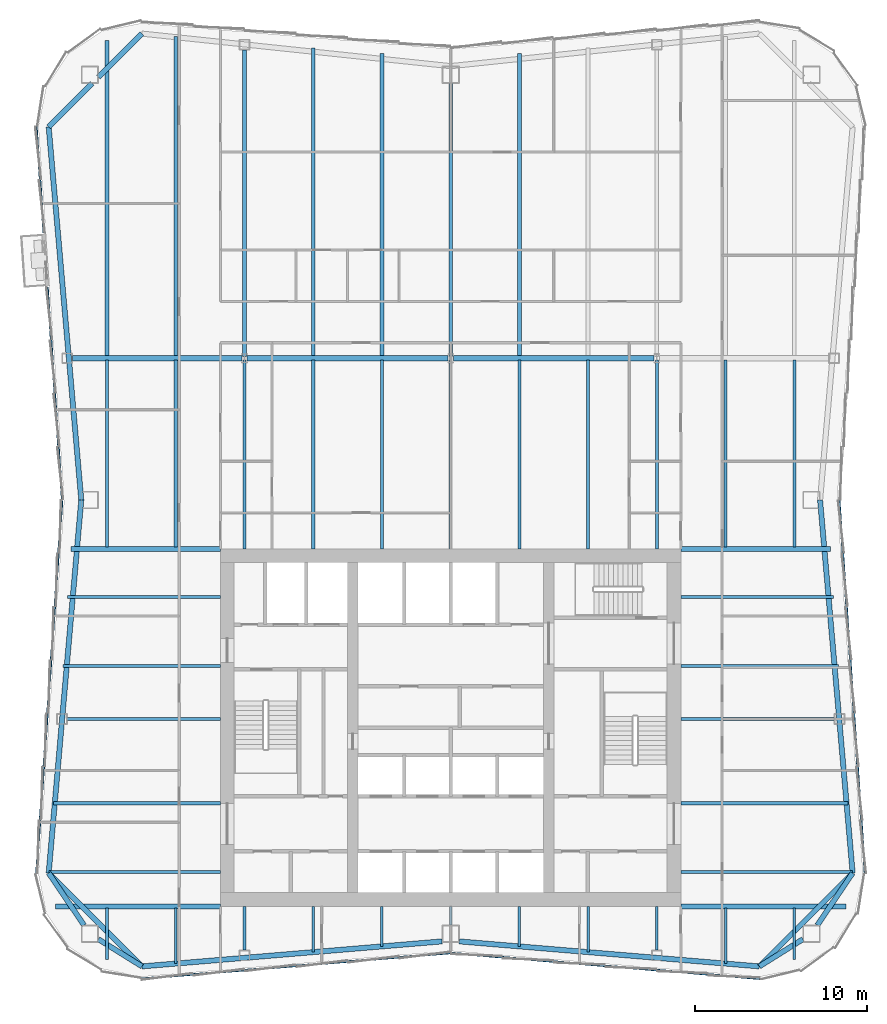
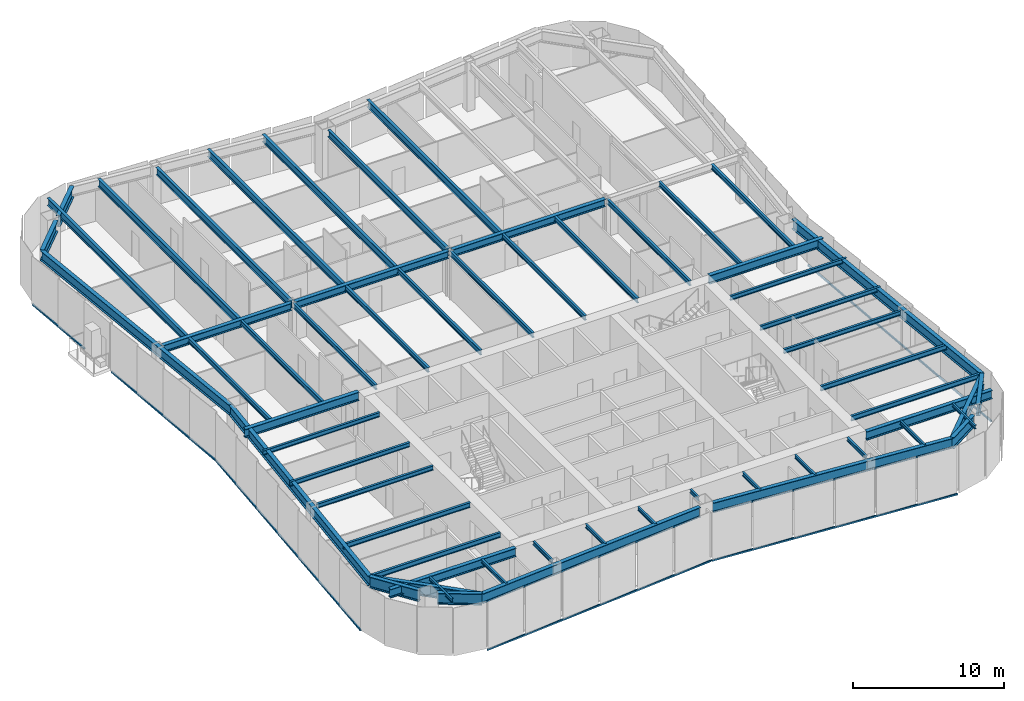
# One storey, part 3 of 12: 59 beams, 6 members, 3 elements without a shape of their own.
"""IFC4 building model written with IfcOpenShell, lengths in metres."""

from ifc_helpers import new_model, si_unit, direction, frame, origin, origin_2d, place, context, subcontext, project, spatial, rectangle, i_section, extrude, material, material_profile, profile_set, type_object, element, aggregate, save


model = new_model("IFC4")

# Units and contexts
model_context = context("Model", 3, precision=1e-05, world=origin(), true_north=direction((0.0, 1.0)))
body_context = subcontext(model_context, "Body", "Model", "MODEL_VIEW")
ifc_project = project(units=[si_unit("LENGTHUNIT", "METRE"), si_unit("AREAUNIT", "SQUARE_METRE"), si_unit("VOLUMEUNIT", "CUBIC_METRE"), si_unit("PLANEANGLEUNIT", "RADIAN"), si_unit("MASSUNIT", "GRAM", prefix="KILO")], contexts=[model_context])

# Site, building, storey
site_placement = place(None, origin())
site = spatial("IfcSite", under=ifc_project, at=site_placement, CompositionType="ELEMENT")
building_placement = place(site_placement, origin())
building = spatial("IfcBuilding", under=site, at=building_placement, Name="Verdant Reach Tower", CompositionType="ELEMENT")
storey_placement = place(building_placement, frame((0.0, 0.0, 246.0)))
storey = spatial("IfcBuildingStorey", under=building, at=storey_placement, Name="L56", CompositionType="ELEMENT", Elevation=246.0)

# Curtain wall, member
ifc_material_1 = material(Name="Anodised aluminium", Category="aluminium")
curtain_wall_type = type_object("IfcCurtainWallType", Name="EN-CW SYSTEM Z4", PredefinedType="NOTDEFINED", material=ifc_material_1)
curtain_wall_1_placement = place(storey_placement, origin())
curtain_wall_1 = element("IfcCurtainWall", 1, at=curtain_wall_1_placement, inside=storey, type_object=curtain_wall_type, Name="Curtain wall east, L56", PredefinedType="NOTDEFINED")
ifc_material_profile_1 = material_profile(ifc_material_1, rectangle(XDim=0.10009765625, YDim=0.1279296875, at=origin_2d()), Name="Transom 128x100")
ifc_profile_set_1 = profile_set([ifc_material_profile_1], Name="Anodised aluminium")
member_type = type_object("IfcMemberType", Name="EN-TRANSOM Z4", PredefinedType="USERDEFINED", material=ifc_profile_set_1)
member_1_placement = place(storey_placement, frame((24.109375, 19.52685546875, -0.285888671875), z_axis=(-0.068770489035, 0.997632507408, 0.0), x_axis=(-0.997632507408, -0.068770489035, 0.0)))
member_1 = element("IfcMember", 2, at=member_1_placement, type_object=member_type, Name="Transom east face part 1 1.1, L56", ObjectType="TRANSOM", PredefinedType="USERDEFINED", context=body_context, shape_type="SweptSolid", body=[
    extrude(rectangle(XDim=0.10009765625, YDim=0.1279296875, at=origin_2d()), origin(), (0.0, 0.0, 1.0), 21.74072265625),
])
aggregate(curtain_wall_1, [member_1])

# Curtain wall, members
curtain_wall_2_placement = place(storey_placement, origin())
curtain_wall_2 = element("IfcCurtainWall", 3, at=curtain_wall_2_placement, inside=storey, type_object=curtain_wall_type, Name="Curtain wall west, L56", PredefinedType="NOTDEFINED")
member_2_placement = place(storey_placement, frame((-24.109375, 62.97314453125, -0.285888671875), z_axis=(0.068628428256, -0.997642290019, 0.0), x_axis=(0.997642290019, 0.068628428256, 0.0)))
member_2 = element("IfcMember", 4, at=member_2_placement, type_object=member_type, Name="Transom west face part 1 1.1, L56", ObjectType="TRANSOM", PredefinedType="USERDEFINED", context=body_context, shape_type="SweptSolid", body=[
    extrude(rectangle(XDim=0.10009765625, YDim=0.1279296875, at=origin_2d()), origin(), (0.0, 0.0, 1.0), 6.17578125),
])
member_3_placement = place(storey_placement, frame((-23.466552734375, 53.636962890625, -0.285888671875), z_axis=(0.068831188382, -0.997628321323, 0.0), x_axis=(0.997628321323, 0.068831188382, 0.0)))
member_3 = element("IfcMember", 5, at=member_3_placement, type_object=member_type, Name="Transom west face part 1 2.1, L56", ObjectType="TRANSOM", PredefinedType="USERDEFINED", context=body_context, shape_type="SweptSolid", body=[
    extrude(rectangle(XDim=0.10009765625, YDim=0.1279296875, at=origin_2d()), origin(), (0.0, 0.0, 1.0), 12.38232421875),
])
member_4_placement = place(storey_placement, frame((-22.6142578125, 41.216064453125, -0.285888671875), z_axis=(-0.068770489035, -0.997632507408, 0.0), x_axis=(0.997632507408, -0.068770489035, 0.0)))
member_4 = element("IfcMember", 6, at=member_4_placement, type_object=member_type, Name="Transom west face part 2 1.1, L56", ObjectType="TRANSOM", PredefinedType="USERDEFINED", context=body_context, shape_type="SweptSolid", body=[
    extrude(rectangle(XDim=0.10009765625, YDim=0.1279296875, at=origin_2d()), origin(), (0.0, 0.0, 1.0), 21.74072265625),
])
aggregate(curtain_wall_2, [member_2, member_3, member_4])

curtain_wall_3_placement = place(storey_placement, origin())
curtain_wall_3 = element("IfcCurtainWall", 7, at=curtain_wall_3_placement, inside=storey, type_object=curtain_wall_type, Name="Curtain wall south, L56", PredefinedType="NOTDEFINED")
member_5_placement = place(storey_placement, frame((-17.972412109375, 13.39111328125, -0.285888671875), z_axis=(0.996549124771, 0.083005071637, 0.0), x_axis=(-0.083005071637, 0.996549124771, 0.0)))
member_5 = element("IfcMember", 8, at=member_5_placement, type_object=member_type, Name="Transom south face part 1 1.1, L56", ObjectType="TRANSOM", PredefinedType="USERDEFINED", context=body_context, shape_type="SweptSolid", body=[
    extrude(rectangle(XDim=0.10009765625, YDim=0.1279296875, at=origin_2d()), origin(), (0.0, 0.0, 1.0), 18.00048828125),
])
member_6_placement = place(storey_placement, frame((0.033935546875, 14.88525390625, -0.285888671875), z_axis=(0.996549124771, -0.083005071637, 0.0), x_axis=(0.083005071637, 0.996549124771, 0.0)))
member_6 = element("IfcMember", 9, at=member_6_placement, type_object=member_type, Name="Transom south face part 2 1.1, L56", ObjectType="TRANSOM", PredefinedType="USERDEFINED", context=body_context, shape_type="SweptSolid", body=[
    extrude(rectangle(XDim=0.10009765625, YDim=0.1279296875, at=origin_2d()), origin(), (0.0, 0.0, 1.0), 18.00048828125),
])
aggregate(curtain_wall_3, [member_5, member_6])

# Beams
ifc_material_2 = material(Name="Steel S355", Category="steel")
ifc_material_profile_2 = material_profile(ifc_material_2, i_section(OverallWidth=0.300048828125, OverallDepth=0.60009765625, WebThickness=0.015380859375, FlangeThickness=0.030029296875, FilletRadius=0.027099609375, at=origin_2d()), Name="HEB 600")
ifc_profile_set_2 = profile_set([ifc_material_profile_2], Name="Steel S355")
beam_type_1 = type_object("IfcBeamType", Name="ST-BEAM-HEB600", PredefinedType="BEAM", material=ifc_profile_set_2)
beam_1_placement = place(storey_placement, frame((-22.01904296875, 49.5, 3.570068359375), z_axis=(1.0, 0.0, 0.0), x_axis=(0.0, 1.0, 0.0)))
element("IfcBeam", 10, at=beam_1_placement, inside=storey, type_object=beam_type_1, Name="Row girder, L56", PredefinedType="BEAM", context=body_context, shape_type="SweptSolid", body=[
    extrude(i_section(OverallWidth=0.300048828125, OverallDepth=0.60009765625, WebThickness=0.015380859375, FlangeThickness=0.030029296875, FilletRadius=0.027099609375, at=origin_2d()), origin(), (0.0, 0.0, 1.0), 9.865966796875),
])
for number, where, z_axis, x_axis, name in (
    (11, (-11.846923828125, 49.5, 3.570068359375), (1.0, 0.0, 0.0), (0.0, 1.0, 0.0), "Row girder, L56"),
    (12, (0.153076171875, 49.5, 3.570068359375), (1.0, 0.0, 0.0), (0.0, 1.0, 0.0), "Row girder, L56"),
):
    element("IfcBeam", number, at=place(storey_placement, frame(where, z_axis=z_axis, x_axis=x_axis)), inside=storey, type_object=beam_type_1, Name=name, PredefinedType="BEAM", context=body_context, shape_type="SweptSolid", body=[
        extrude(i_section(OverallWidth=0.300048828125, OverallDepth=0.60009765625, WebThickness=0.015380859375, FlangeThickness=0.030029296875, FilletRadius=0.027099609375, at=origin_2d()), origin(), (0.0, 0.0, 1.0), 11.69384765625),
    ])
ifc_material_profile_3 = material_profile(ifc_material_2, i_section(OverallWidth=0.300048828125, OverallDepth=0.699951171875, WebThickness=0.01708984375, FlangeThickness=0.031982421875, FilletRadius=0.027099609375, at=origin_2d()), Name="HEB 700")
ifc_profile_set_3 = profile_set([ifc_material_profile_3], Name="Steel S355")
beam_type_2 = type_object("IfcBeamType", Name="ST-BEAM-HEB700", PredefinedType="BEAM", material=ifc_profile_set_3)
for number, where, z_axis, x_axis, name in (
    (13, (13.39990234375, 38.39990234375, 3.52001953125), (1.0, 0.0, 0.0), (0.0, 1.0, 0.0), "Trimmer beam, L56"),
    (14, (-13.39990234375, 38.39990234375, 3.52001953125), (-1.0, 0.0, 0.0), (0.0, -1.0, 0.0), "Trimmer beam, L56"),
):
    element("IfcBeam", number, at=place(storey_placement, frame(where, z_axis=z_axis, x_axis=x_axis)), inside=storey, type_object=beam_type_2, Name=name, PredefinedType="BEAM", context=body_context, shape_type="SweptSolid", body=[
        extrude(i_section(OverallWidth=0.300048828125, OverallDepth=0.699951171875, WebThickness=0.01708984375, FlangeThickness=0.031982421875, FilletRadius=0.027099609375, at=origin_2d()), origin(), (0.0, 0.0, 1.0), 8.6953125),
    ])
for number, where, z_axis, x_axis, name in (
    (15, (13.39990234375, 17.60009765625, 3.52001953125), (1.0, 0.0, 0.0), (0.0, 1.0, 0.0), "Trimmer beam, L56"),
    (16, (-13.39990234375, 17.60009765625, 3.52001953125), (-1.0, 0.0, 0.0), (0.0, -1.0, 0.0), "Trimmer beam, L56"),
):
    element("IfcBeam", number, at=place(storey_placement, frame(where, z_axis=z_axis, x_axis=x_axis)), inside=storey, type_object=beam_type_2, Name=name, PredefinedType="BEAM", context=body_context, shape_type="SweptSolid", body=[
        extrude(i_section(OverallWidth=0.300048828125, OverallDepth=0.699951171875, WebThickness=0.01708984375, FlangeThickness=0.031982421875, FilletRadius=0.027099609375, at=origin_2d()), origin(), (0.0, 0.0, 1.0), 9.6103515625),
    ])
ifc_material_profile_4 = material_profile(ifc_material_2, i_section(OverallWidth=0.302001953125, OverallDepth=0.909912109375, WebThickness=0.02099609375, FlangeThickness=0.0400390625, FilletRadius=0.030029296875, at=origin_2d()), Name="HEM 900")
ifc_profile_set_4 = profile_set([ifc_material_profile_4], Name="Steel S355")
beam_type_3 = type_object("IfcBeamType", Name="ST-BEAM-HEM900", PredefinedType="BEAM", material=ifc_profile_set_4)
beam_2_placement = place(storey_placement, frame((20.5, 15.687744140625, 3.4150390625), z_axis=(-0.848163521635, -0.529734500073, 0.0), x_axis=(0.529734500073, -0.848163521635, 0.0)))
element("IfcBeam", 17, at=beam_2_placement, inside=storey, type_object=beam_type_3, Name="Column stub beam, L56", PredefinedType="BEAM", context=body_context, shape_type="SweptSolid", body=[
    extrude(i_section(OverallWidth=0.302001953125, OverallDepth=0.909912109375, WebThickness=0.02099609375, FlangeThickness=0.0400390625, FilletRadius=0.030029296875, at=origin_2d()), origin(), (0.0, 0.0, 1.0), 2.98779296875),
])
beam_3_placement = place(storey_placement, frame((21.33837890625, 16.5, 3.4150390625), z_axis=(0.560703975309, 0.828016335631, 0.0), x_axis=(-0.828016335631, 0.560703975309, 0.0)))
element("IfcBeam", 18, at=beam_3_placement, inside=storey, type_object=beam_type_3, Name="Column stub beam, L56", PredefinedType="BEAM", context=body_context, shape_type="SweptSolid", body=[
    extrude(i_section(OverallWidth=0.302001953125, OverallDepth=0.909912109375, WebThickness=0.02099609375, FlangeThickness=0.0400390625, FilletRadius=0.030029296875, at=origin_2d()), origin(), (0.0, 0.0, 1.0), 3.669677734375),
])
beam_4_placement = place(storey_placement, frame((-20.5, 15.687744140625, 3.4150390625), z_axis=(0.848163521635, -0.529734500073, 0.0), x_axis=(0.529734500073, 0.848163521635, 0.0)))
element("IfcBeam", 19, at=beam_4_placement, inside=storey, type_object=beam_type_3, Name="Column stub beam, L56", PredefinedType="BEAM", context=body_context, shape_type="SweptSolid", body=[
    extrude(i_section(OverallWidth=0.302001953125, OverallDepth=0.909912109375, WebThickness=0.02099609375, FlangeThickness=0.0400390625, FilletRadius=0.030029296875, at=origin_2d()), origin(), (0.0, 0.0, 1.0), 2.98779296875),
])
beam_5_placement = place(storey_placement, frame((-21.33837890625, 16.5, 3.4150390625), z_axis=(-0.560703975309, 0.828016335631, 0.0), x_axis=(-0.828016335631, -0.560703975309, 0.0)))
element("IfcBeam", 20, at=beam_5_placement, inside=storey, type_object=beam_type_3, Name="Column stub beam, L56", PredefinedType="BEAM", context=body_context, shape_type="SweptSolid", body=[
    extrude(i_section(OverallWidth=0.302001953125, OverallDepth=0.909912109375, WebThickness=0.02099609375, FlangeThickness=0.0400390625, FilletRadius=0.030029296875, at=origin_2d()), origin(), (0.0, 0.0, 1.0), 3.669677734375),
])
ifc_material_profile_5 = material_profile(ifc_material_2, i_section(OverallWidth=0.14990234375, OverallDepth=0.300048828125, WebThickness=0.007080078125, FlangeThickness=0.0107421875, FilletRadius=0.014892578125, at=origin_2d()), Name="IPE 300")
ifc_profile_set_5 = profile_set([ifc_material_profile_5], Name="Steel S355")
beam_type_4 = type_object("IfcBeamType", Name="ST-JOIST-IPE300", PredefinedType="JOIST", material=ifc_profile_set_5)
beam_6_placement = place(storey_placement, frame((-20.0, 17.5, 3.719970703125), z_axis=(0.0, -1.0, 0.0), x_axis=(1.0, 0.0, 0.0)))
element("IfcBeam", 21, at=beam_6_placement, inside=storey, type_object=beam_type_4, Name="Floor joist, L56", PredefinedType="JOIST", context=body_context, shape_type="SweptSolid", body=[
    extrude(i_section(OverallWidth=0.14990234375, OverallDepth=0.300048828125, WebThickness=0.007080078125, FlangeThickness=0.0107421875, FilletRadius=0.014892578125, at=origin_2d()), origin(), (0.0, 0.0, 1.0), 2.990478515625),
])
beam_7_placement = place(storey_placement, frame((-16.0, 17.5, 3.719970703125), z_axis=(0.0, -1.0, 0.0), x_axis=(1.0, 0.0, 0.0)))
element("IfcBeam", 22, at=beam_7_placement, inside=storey, type_object=beam_type_4, Name="Floor joist, L56", PredefinedType="JOIST", context=body_context, shape_type="SweptSolid", body=[
    extrude(i_section(OverallWidth=0.14990234375, OverallDepth=0.300048828125, WebThickness=0.007080078125, FlangeThickness=0.0107421875, FilletRadius=0.014892578125, at=origin_2d()), origin(), (0.0, 0.0, 1.0), 3.231201171875),
])
beam_8_placement = place(storey_placement, frame((-12.0, 17.60009765625, 3.719970703125), z_axis=(0.0, -1.0, 0.0), x_axis=(1.0, 0.0, 0.0)))
element("IfcBeam", 23, at=beam_8_placement, inside=storey, type_object=beam_type_4, Name="Floor joist, L56", PredefinedType="JOIST", context=body_context, shape_type="SweptSolid", body=[
    extrude(i_section(OverallWidth=0.14990234375, OverallDepth=0.300048828125, WebThickness=0.007080078125, FlangeThickness=0.0107421875, FilletRadius=0.014892578125, at=origin_2d()), origin(), (0.0, 0.0, 1.0), 2.550048828125),
])
beam_9_placement = place(storey_placement, frame((-8.0, 17.60009765625, 3.719970703125), z_axis=(0.0, -1.0, 0.0), x_axis=(1.0, 0.0, 0.0)))
element("IfcBeam", 24, at=beam_9_placement, inside=storey, type_object=beam_type_4, Name="Floor joist, L56", PredefinedType="JOIST", context=body_context, shape_type="SweptSolid", body=[
    extrude(i_section(OverallWidth=0.14990234375, OverallDepth=0.300048828125, WebThickness=0.007080078125, FlangeThickness=0.0107421875, FilletRadius=0.014892578125, at=origin_2d()), origin(), (0.0, 0.0, 1.0), 2.664794921875),
])
beam_10_placement = place(storey_placement, frame((-4.0, 17.60009765625, 3.719970703125), z_axis=(0.0, -1.0, 0.0), x_axis=(1.0, 0.0, 0.0)))
element("IfcBeam", 25, at=beam_10_placement, inside=storey, type_object=beam_type_4, Name="Floor joist, L56", PredefinedType="JOIST", context=body_context, shape_type="SweptSolid", body=[
    extrude(i_section(OverallWidth=0.14990234375, OverallDepth=0.300048828125, WebThickness=0.007080078125, FlangeThickness=0.0107421875, FilletRadius=0.014892578125, at=origin_2d()), origin(), (0.0, 0.0, 1.0), 2.331298828125),
])
beam_11_placement = place(storey_placement, frame((0.0, 17.60009765625, 3.719970703125), z_axis=(0.0, -1.0, 0.0), x_axis=(1.0, 0.0, 0.0)))
element("IfcBeam", 26, at=beam_11_placement, inside=storey, type_object=beam_type_4, Name="Floor joist, L56", PredefinedType="JOIST", context=body_context, shape_type="SweptSolid", body=[
    extrude(i_section(OverallWidth=0.14990234375, OverallDepth=0.300048828125, WebThickness=0.007080078125, FlangeThickness=0.0107421875, FilletRadius=0.014892578125, at=origin_2d()), origin(), (0.0, 0.0, 1.0), 1.10009765625),
])
beam_12_placement = place(storey_placement, frame((4.0, 17.60009765625, 3.719970703125), z_axis=(0.0, -1.0, 0.0), x_axis=(1.0, 0.0, 0.0)))
element("IfcBeam", 27, at=beam_12_placement, inside=storey, type_object=beam_type_4, Name="Floor joist, L56", PredefinedType="JOIST", context=body_context, shape_type="SweptSolid", body=[
    extrude(i_section(OverallWidth=0.14990234375, OverallDepth=0.300048828125, WebThickness=0.007080078125, FlangeThickness=0.0107421875, FilletRadius=0.014892578125, at=origin_2d()), origin(), (0.0, 0.0, 1.0), 2.331298828125),
])
beam_13_placement = place(storey_placement, frame((8.0, 17.60009765625, 3.719970703125), z_axis=(0.0, -1.0, 0.0), x_axis=(1.0, 0.0, 0.0)))
element("IfcBeam", 28, at=beam_13_placement, inside=storey, type_object=beam_type_4, Name="Floor joist, L56", PredefinedType="JOIST", context=body_context, shape_type="SweptSolid", body=[
    extrude(i_section(OverallWidth=0.14990234375, OverallDepth=0.300048828125, WebThickness=0.007080078125, FlangeThickness=0.0107421875, FilletRadius=0.014892578125, at=origin_2d()), origin(), (0.0, 0.0, 1.0), 2.664794921875),
])
beam_14_placement = place(storey_placement, frame((12.0, 17.60009765625, 3.719970703125), z_axis=(0.0, -1.0, 0.0), x_axis=(1.0, 0.0, 0.0)))
element("IfcBeam", 29, at=beam_14_placement, inside=storey, type_object=beam_type_4, Name="Floor joist, L56", PredefinedType="JOIST", context=body_context, shape_type="SweptSolid", body=[
    extrude(i_section(OverallWidth=0.14990234375, OverallDepth=0.300048828125, WebThickness=0.007080078125, FlangeThickness=0.0107421875, FilletRadius=0.014892578125, at=origin_2d()), origin(), (0.0, 0.0, 1.0), 2.550048828125),
])
beam_15_placement = place(storey_placement, frame((16.0, 17.5, 3.719970703125), z_axis=(0.0, -1.0, 0.0), x_axis=(1.0, 0.0, 0.0)))
element("IfcBeam", 30, at=beam_15_placement, inside=storey, type_object=beam_type_4, Name="Floor joist, L56", PredefinedType="JOIST", context=body_context, shape_type="SweptSolid", body=[
    extrude(i_section(OverallWidth=0.14990234375, OverallDepth=0.300048828125, WebThickness=0.007080078125, FlangeThickness=0.0107421875, FilletRadius=0.014892578125, at=origin_2d()), origin(), (0.0, 0.0, 1.0), 3.231201171875),
])
beam_16_placement = place(storey_placement, frame((20.0, 17.5, 3.719970703125), z_axis=(0.0, -1.0, 0.0), x_axis=(1.0, 0.0, 0.0)))
element("IfcBeam", 31, at=beam_16_placement, inside=storey, type_object=beam_type_4, Name="Floor joist, L56", PredefinedType="JOIST", context=body_context, shape_type="SweptSolid", body=[
    extrude(i_section(OverallWidth=0.14990234375, OverallDepth=0.300048828125, WebThickness=0.007080078125, FlangeThickness=0.0107421875, FilletRadius=0.014892578125, at=origin_2d()), origin(), (0.0, 0.0, 1.0), 2.990478515625),
])
ifc_material_profile_6 = material_profile(ifc_material_2, i_section(OverallWidth=0.169921875, OverallDepth=0.360107421875, WebThickness=0.008056640625, FlangeThickness=0.0126953125, FilletRadius=0.01806640625, at=origin_2d()), Name="IPE 360")
ifc_profile_set_6 = profile_set([ifc_material_profile_6], Name="Steel S355")
beam_type_5 = type_object("IfcBeamType", Name="ST-JOIST-IPE360", PredefinedType="JOIST", material=ifc_profile_set_6)
for number, where, z_axis, x_axis, name in (
    (32, (13.39990234375, 28.5, 3.68994140625), (1.0, 0.0, 0.0), (0.0, 1.0, 0.0), "Floor joist, L56"),
    (33, (-13.39990234375, 28.5, 3.68994140625), (-1.0, 0.0, 0.0), (0.0, -1.0, 0.0), "Floor joist, L56"),
):
    element("IfcBeam", number, at=place(storey_placement, frame(where, z_axis=z_axis, x_axis=x_axis)), inside=storey, type_object=beam_type_5, Name=name, PredefinedType="JOIST", context=body_context, shape_type="SweptSolid", body=[
        extrude(i_section(OverallWidth=0.169921875, OverallDepth=0.360107421875, WebThickness=0.008056640625, FlangeThickness=0.0126953125, FilletRadius=0.01806640625, at=origin_2d()), origin(), (0.0, 0.0, 1.0), 8.929443359375),
    ])
for number, where, z_axis, x_axis, name in (
    (34, (13.39990234375, 31.60009765625, 3.68994140625), (1.0, 0.0, 0.0), (0.0, 1.0, 0.0), "Floor joist, L56"),
    (35, (-13.39990234375, 31.60009765625, 3.68994140625), (-1.0, 0.0, 0.0), (0.0, -1.0, 0.0), "Floor joist, L56"),
):
    element("IfcBeam", number, at=place(storey_placement, frame(where, z_axis=z_axis, x_axis=x_axis)), inside=storey, type_object=beam_type_5, Name=name, PredefinedType="JOIST", context=body_context, shape_type="SweptSolid", body=[
        extrude(i_section(OverallWidth=0.169921875, OverallDepth=0.360107421875, WebThickness=0.008056640625, FlangeThickness=0.0126953125, FilletRadius=0.01806640625, at=origin_2d()), origin(), (0.0, 0.0, 1.0), 9.164306640625),
    ])
for number, where, z_axis, x_axis, name in (
    (36, (13.39990234375, 35.60009765625, 3.68994140625), (1.0, 0.0, 0.0), (0.0, 1.0, 0.0), "Floor joist, L56"),
    (37, (-13.39990234375, 35.60009765625, 3.68994140625), (-1.0, 0.0, 0.0), (0.0, -1.0, 0.0), "Floor joist, L56"),
):
    element("IfcBeam", number, at=place(storey_placement, frame(where, z_axis=z_axis, x_axis=x_axis)), inside=storey, type_object=beam_type_5, Name=name, PredefinedType="JOIST", context=body_context, shape_type="SweptSolid", body=[
        extrude(i_section(OverallWidth=0.169921875, OverallDepth=0.360107421875, WebThickness=0.008056640625, FlangeThickness=0.0126953125, FilletRadius=0.01806640625, at=origin_2d()), origin(), (0.0, 0.0, 1.0), 8.88818359375),
    ])
ifc_material_profile_7 = material_profile(ifc_material_2, i_section(OverallWidth=0.179931640625, OverallDepth=0.39990234375, WebThickness=0.008544921875, FlangeThickness=0.013427734375, FilletRadius=0.02099609375, at=origin_2d()), Name="IPE 400")
ifc_profile_set_7 = profile_set([ifc_material_profile_7], Name="Steel S355")
beam_type_6 = type_object("IfcBeamType", Name="ST-JOIST-IPE400", PredefinedType="JOIST", material=ifc_profile_set_7)
for number, where, z_axis, x_axis, name in (
    (38, (-20.0, 38.5, 3.669921875), (0.0, 1.0, 0.0), (-1.0, 0.0, 0.0), "Floor joist, L56"),
    (39, (-16.0, 38.5, 3.669921875), (0.0, 1.0, 0.0), (-1.0, 0.0, 0.0), "Floor joist, L56"),
):
    element("IfcBeam", number, at=place(storey_placement, frame(where, z_axis=z_axis, x_axis=x_axis)), inside=storey, type_object=beam_type_6, Name=name, PredefinedType="JOIST", context=body_context, shape_type="SweptSolid", body=[
        extrude(i_section(OverallWidth=0.179931640625, OverallDepth=0.39990234375, WebThickness=0.008544921875, FlangeThickness=0.013427734375, FilletRadius=0.02099609375, at=origin_2d()), origin(), (0.0, 0.0, 1.0), 10.89990234375),
    ])
for number, where, z_axis, x_axis, name in (
    (40, (-12.0, 38.39990234375, 3.669921875), (0.0, 1.0, 0.0), (-1.0, 0.0, 0.0), "Floor joist, L56"),
    (41, (-8.0, 38.39990234375, 3.669921875), (0.0, 1.0, 0.0), (-1.0, 0.0, 0.0), "Floor joist, L56"),
    (42, (-4.0, 38.39990234375, 3.669921875), (0.0, 1.0, 0.0), (-1.0, 0.0, 0.0), "Floor joist, L56"),
    (43, (0.0, 38.39990234375, 3.669921875), (0.0, 1.0, 0.0), (-1.0, 0.0, 0.0), "Floor joist, L56"),
    (44, (4.0, 38.39990234375, 3.669921875), (0.0, 1.0, 0.0), (-1.0, 0.0, 0.0), "Floor joist, L56"),
    (45, (8.0, 38.39990234375, 3.669921875), (0.0, 1.0, 0.0), (-1.0, 0.0, 0.0), "Floor joist, L56"),
    (46, (12.0, 38.39990234375, 3.669921875), (0.0, 1.0, 0.0), (-1.0, 0.0, 0.0), "Floor joist, L56"),
):
    element("IfcBeam", number, at=place(storey_placement, frame(where, z_axis=z_axis, x_axis=x_axis)), inside=storey, type_object=beam_type_6, Name=name, PredefinedType="JOIST", context=body_context, shape_type="SweptSolid", body=[
        extrude(i_section(OverallWidth=0.179931640625, OverallDepth=0.39990234375, WebThickness=0.008544921875, FlangeThickness=0.013427734375, FilletRadius=0.02099609375, at=origin_2d()), origin(), (0.0, 0.0, 1.0), 11.0),
    ])
for number, where, z_axis, x_axis, name in (
    (47, (16.0, 38.5, 3.669921875), (0.0, 1.0, 0.0), (-1.0, 0.0, 0.0), "Floor joist, L56"),
    (48, (20.0, 38.5, 3.669921875), (0.0, 1.0, 0.0), (-1.0, 0.0, 0.0), "Floor joist, L56"),
):
    element("IfcBeam", number, at=place(storey_placement, frame(where, z_axis=z_axis, x_axis=x_axis)), inside=storey, type_object=beam_type_6, Name=name, PredefinedType="JOIST", context=body_context, shape_type="SweptSolid", body=[
        extrude(i_section(OverallWidth=0.179931640625, OverallDepth=0.39990234375, WebThickness=0.008544921875, FlangeThickness=0.013427734375, FilletRadius=0.02099609375, at=origin_2d()), origin(), (0.0, 0.0, 1.0), 10.89990234375),
    ])
for number, where, z_axis, x_axis, name in (
    (49, (13.39990234375, 19.60009765625, 3.669921875), (1.0, 0.0, 0.0), (0.0, 1.0, 0.0), "Floor joist, L56"),
    (50, (-13.39990234375, 19.60009765625, 3.669921875), (-1.0, 0.0, 0.0), (0.0, -1.0, 0.0), "Floor joist, L56"),
):
    element("IfcBeam", number, at=place(storey_placement, frame(where, z_axis=z_axis, x_axis=x_axis)), inside=storey, type_object=beam_type_6, Name=name, PredefinedType="JOIST", context=body_context, shape_type="SweptSolid", body=[
        extrude(i_section(OverallWidth=0.179931640625, OverallDepth=0.39990234375, WebThickness=0.008544921875, FlangeThickness=0.013427734375, FilletRadius=0.02099609375, at=origin_2d()), origin(), (0.0, 0.0, 1.0), 9.99169921875),
    ])
for number, where, z_axis, x_axis, name in (
    (51, (13.39990234375, 23.60009765625, 3.669921875), (1.0, 0.0, 0.0), (0.0, 1.0, 0.0), "Floor joist, L56"),
    (52, (-13.39990234375, 23.60009765625, 3.669921875), (-1.0, 0.0, 0.0), (0.0, -1.0, 0.0), "Floor joist, L56"),
):
    element("IfcBeam", number, at=place(storey_placement, frame(where, z_axis=z_axis, x_axis=x_axis)), inside=storey, type_object=beam_type_6, Name=name, PredefinedType="JOIST", context=body_context, shape_type="SweptSolid", body=[
        extrude(i_section(OverallWidth=0.179931640625, OverallDepth=0.39990234375, WebThickness=0.008544921875, FlangeThickness=0.013427734375, FilletRadius=0.02099609375, at=origin_2d()), origin(), (0.0, 0.0, 1.0), 9.7158203125),
    ])
ifc_material_profile_8 = material_profile(ifc_material_2, i_section(OverallWidth=0.2099609375, OverallDepth=0.550048828125, WebThickness=0.010986328125, FlangeThickness=0.01708984375, FilletRadius=0.02392578125, at=origin_2d()), Name="IPE 550")
ifc_profile_set_8 = profile_set([ifc_material_profile_8], Name="Steel S355")
beam_type_7 = type_object("IfcBeamType", Name="ST-JOIST-IPE550", PredefinedType="JOIST", material=ifc_profile_set_8)
beam_17_placement = place(storey_placement, frame((0.0, 49.60009765625, 3.594970703125), z_axis=(0.0, 1.0, 0.0), x_axis=(-1.0, 0.0, 0.0)))
element("IfcBeam", 53, at=beam_17_placement, inside=storey, type_object=beam_type_7, Name="Floor joist, L56", PredefinedType="JOIST", context=body_context, shape_type="SweptSolid", body=[
    extrude(i_section(OverallWidth=0.2099609375, OverallDepth=0.550048828125, WebThickness=0.010986328125, FlangeThickness=0.01708984375, FilletRadius=0.02392578125, at=origin_2d()), origin(), (0.0, 0.0, 1.0), 15.89990234375),
])
ifc_material_profile_9 = material_profile(ifc_material_2, i_section(OverallWidth=0.219970703125, OverallDepth=0.60009765625, WebThickness=0.011962890625, FlangeThickness=0.01904296875, FilletRadius=0.02392578125, at=origin_2d()), Name="IPE 600")
ifc_profile_set_9 = profile_set([ifc_material_profile_9], Name="Steel S355")
beam_type_8 = type_object("IfcBeamType", Name="ST-JOIST-IPE600", PredefinedType="JOIST", material=ifc_profile_set_9)
beam_18_placement = place(storey_placement, frame((-20.0, 49.60009765625, 3.570068359375), z_axis=(0.0, 1.0, 0.0), x_axis=(-1.0, 0.0, 0.0)))
element("IfcBeam", 54, at=beam_18_placement, inside=storey, type_object=beam_type_8, Name="Floor joist, L56", PredefinedType="JOIST", context=body_context, shape_type="SweptSolid", body=[
    extrude(i_section(OverallWidth=0.219970703125, OverallDepth=0.60009765625, WebThickness=0.011962890625, FlangeThickness=0.01904296875, FilletRadius=0.02392578125, at=origin_2d()), origin(), (0.0, 0.0, 1.0), 18.390380859375),
])
beam_19_placement = place(storey_placement, frame((-16.0, 49.60009765625, 3.570068359375), z_axis=(0.0, 1.0, 0.0), x_axis=(-1.0, 0.0, 0.0)))
element("IfcBeam", 55, at=beam_19_placement, inside=storey, type_object=beam_type_8, Name="Floor joist, L56", PredefinedType="JOIST", context=body_context, shape_type="SweptSolid", body=[
    extrude(i_section(OverallWidth=0.219970703125, OverallDepth=0.60009765625, WebThickness=0.011962890625, FlangeThickness=0.01904296875, FilletRadius=0.02392578125, at=origin_2d()), origin(), (0.0, 0.0, 1.0), 18.631103515625),
])
beam_20_placement = place(storey_placement, frame((-12.0, 49.60009765625, 3.570068359375), z_axis=(0.0, 1.0, 0.0), x_axis=(-1.0, 0.0, 0.0)))
element("IfcBeam", 56, at=beam_20_placement, inside=storey, type_object=beam_type_8, Name="Floor joist, L56", PredefinedType="JOIST", context=body_context, shape_type="SweptSolid", body=[
    extrude(i_section(OverallWidth=0.219970703125, OverallDepth=0.60009765625, WebThickness=0.011962890625, FlangeThickness=0.01904296875, FilletRadius=0.02392578125, at=origin_2d()), origin(), (0.0, 0.0, 1.0), 17.849853515625),
])
beam_21_placement = place(storey_placement, frame((-8.0, 49.60009765625, 3.570068359375), z_axis=(0.0, 1.0, 0.0), x_axis=(-1.0, 0.0, 0.0)))
element("IfcBeam", 57, at=beam_21_placement, inside=storey, type_object=beam_type_8, Name="Floor joist, L56", PredefinedType="JOIST", context=body_context, shape_type="SweptSolid", body=[
    extrude(i_section(OverallWidth=0.219970703125, OverallDepth=0.60009765625, WebThickness=0.011962890625, FlangeThickness=0.01904296875, FilletRadius=0.02392578125, at=origin_2d()), origin(), (0.0, 0.0, 1.0), 17.964599609375),
])
for number, where, z_axis, x_axis, name in (
    (58, (-4.0, 49.60009765625, 3.570068359375), (0.0, 1.0, 0.0), (-1.0, 0.0, 0.0), "Floor joist, L56"),
    (59, (4.0, 49.60009765625, 3.570068359375), (0.0, 1.0, 0.0), (-1.0, 0.0, 0.0), "Floor joist, L56"),
):
    element("IfcBeam", number, at=place(storey_placement, frame(where, z_axis=z_axis, x_axis=x_axis)), inside=storey, type_object=beam_type_8, Name=name, PredefinedType="JOIST", context=body_context, shape_type="SweptSolid", body=[
        extrude(i_section(OverallWidth=0.219970703125, OverallDepth=0.60009765625, WebThickness=0.011962890625, FlangeThickness=0.01904296875, FilletRadius=0.02392578125, at=origin_2d()), origin(), (0.0, 0.0, 1.0), 17.631103515625),
    ])
ifc_material_profile_10 = material_profile(ifc_material_2, i_section(OverallWidth=0.300048828125, OverallDepth=0.800048828125, WebThickness=0.017578125, FlangeThickness=0.032958984375, FilletRadius=0.030029296875, at=origin_2d()), Name="HEB 800")
ifc_profile_set_10 = profile_set([ifc_material_profile_10], Name="Steel S355")
beam_type_9 = type_object("IfcBeamType", Name="ST-SPANDREL-HEB800", PredefinedType="SPANDREL", material=ifc_profile_set_10)
for number, where, z_axis, x_axis, name in (
    (60, (17.9658203125, 14.10498046875, 3.469970703125), (-0.99654652675, 0.083036257282, 0.0), (-0.083036257282, -0.99654652675, 0.0), "Edge beam, L56"),
    (61, (-0.5, 15.560302734375, 3.469970703125), (-0.99654652675, -0.083036257282, 0.0), (0.083036257282, -0.99654652675, 0.0), "Edge beam, L56"),
):
    element("IfcBeam", number, at=place(storey_placement, frame(where, z_axis=z_axis, x_axis=x_axis)), inside=storey, type_object=beam_type_9, Name=name, PredefinedType="SPANDREL", context=body_context, shape_type="SweptSolid", body=[
        extrude(i_section(OverallWidth=0.300048828125, OverallDepth=0.800048828125, WebThickness=0.017578125, FlangeThickness=0.032958984375, FilletRadius=0.030029296875, at=origin_2d()), origin(), (0.0, 0.0, 1.0), 17.5263671875),
    ])
for number, where, z_axis, x_axis, name in (
    (62, (-23.39599609375, 19.53857421875, 3.469970703125), (0.086996024331, 0.996208658741, 0.0), (-0.996208658741, 0.086996024331, 0.0), "Edge beam, L56"),
    (63, (-21.5, 41.25, 3.469970703125), (-0.086996024331, 0.996208658741, 0.0), (-0.996208658741, -0.086996024331, 0.0), "Edge beam, L56"),
    (64, (21.5, 41.25, 3.469970703125), (0.086996024331, -0.996208658741, 0.0), (0.996208658741, 0.086996024331, 0.0), "Edge beam, L56"),
):
    element("IfcBeam", number, at=place(storey_placement, frame(where, z_axis=z_axis, x_axis=x_axis)), inside=storey, type_object=beam_type_9, Name=name, PredefinedType="SPANDREL", context=body_context, shape_type="SweptSolid", body=[
        extrude(i_section(OverallWidth=0.300048828125, OverallDepth=0.800048828125, WebThickness=0.017578125, FlangeThickness=0.032958984375, FilletRadius=0.030029296875, at=origin_2d()), origin(), (0.0, 0.0, 1.0), 21.7939453125),
    ])
ifc_material_profile_11 = material_profile(ifc_material_2, i_section(OverallWidth=0.302001953125, OverallDepth=0.909912109375, WebThickness=0.02099609375, FlangeThickness=0.0400390625, FilletRadius=0.030029296875, at=origin_2d()), Name="HEM 900")
ifc_profile_set_11 = profile_set([ifc_material_profile_11], Name="Steel S355")
beam_type_10 = type_object("IfcBeamType", Name="ST-SPANDREL-HEM900", PredefinedType="SPANDREL", material=ifc_profile_set_11)
beam_22_placement = place(storey_placement, frame((-17.9658203125, 14.10498046875, 3.4150390625), z_axis=(-0.706884275642, 0.707329216738, 0.0), x_axis=(-0.707329216738, -0.706884275642, 0.0)))
element("IfcBeam", 65, at=beam_22_placement, inside=storey, type_object=beam_type_10, Name="Edge beam, L56", PredefinedType="SPANDREL", context=body_context, shape_type="SweptSolid", body=[
    extrude(i_section(OverallWidth=0.302001953125, OverallDepth=0.909912109375, WebThickness=0.02099609375, FlangeThickness=0.0400390625, FilletRadius=0.030029296875, at=origin_2d()), origin(), (0.0, 0.0, 1.0), 7.681884765625),
])
beam_23_placement = place(storey_placement, frame((-23.39599609375, 62.96142578125, 3.4150390625), z_axis=(0.706902680526, 0.707310822952, 0.0), x_axis=(-0.707310822952, 0.706902680526, 0.0)))
element("IfcBeam", 66, at=beam_23_placement, inside=storey, type_object=beam_type_10, Name="Edge beam, L56", PredefinedType="SPANDREL", context=body_context, shape_type="SweptSolid", body=[
    extrude(i_section(OverallWidth=0.302001953125, OverallDepth=0.909912109375, WebThickness=0.02099609375, FlangeThickness=0.0400390625, FilletRadius=0.030029296875, at=origin_2d()), origin(), (0.0, 0.0, 1.0), 3.589111328125),
])
beam_24_placement = place(storey_placement, frame((-20.5, 65.859130859375, 3.4150390625), z_axis=(0.706868394255, 0.707345087777, 0.0), x_axis=(-0.707345087777, 0.706868394255, 0.0)))
element("IfcBeam", 67, at=beam_24_placement, inside=storey, type_object=beam_type_10, Name="Edge beam, L56", PredefinedType="SPANDREL", context=body_context, shape_type="SweptSolid", body=[
    extrude(i_section(OverallWidth=0.302001953125, OverallDepth=0.909912109375, WebThickness=0.02099609375, FlangeThickness=0.0400390625, FilletRadius=0.030029296875, at=origin_2d()), origin(), (0.0, 0.0, 1.0), 3.5849609375),
])
beam_25_placement = place(storey_placement, frame((23.39599609375, 19.53857421875, 3.4150390625), z_axis=(-0.706884275642, -0.707329216738, 0.0), x_axis=(0.707329216738, -0.706884275642, 0.0)))
element("IfcBeam", 68, at=beam_25_placement, inside=storey, type_object=beam_type_10, Name="Edge beam, L56", PredefinedType="SPANDREL", context=body_context, shape_type="SweptSolid", body=[
    extrude(i_section(OverallWidth=0.302001953125, OverallDepth=0.909912109375, WebThickness=0.02099609375, FlangeThickness=0.0400390625, FilletRadius=0.030029296875, at=origin_2d()), origin(), (0.0, 0.0, 1.0), 7.681884765625),
])

save(model, "model.ifc")
